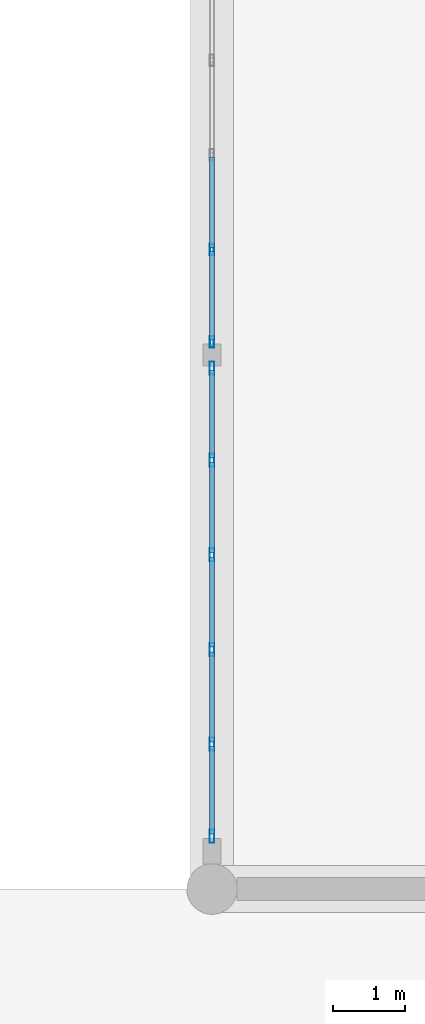
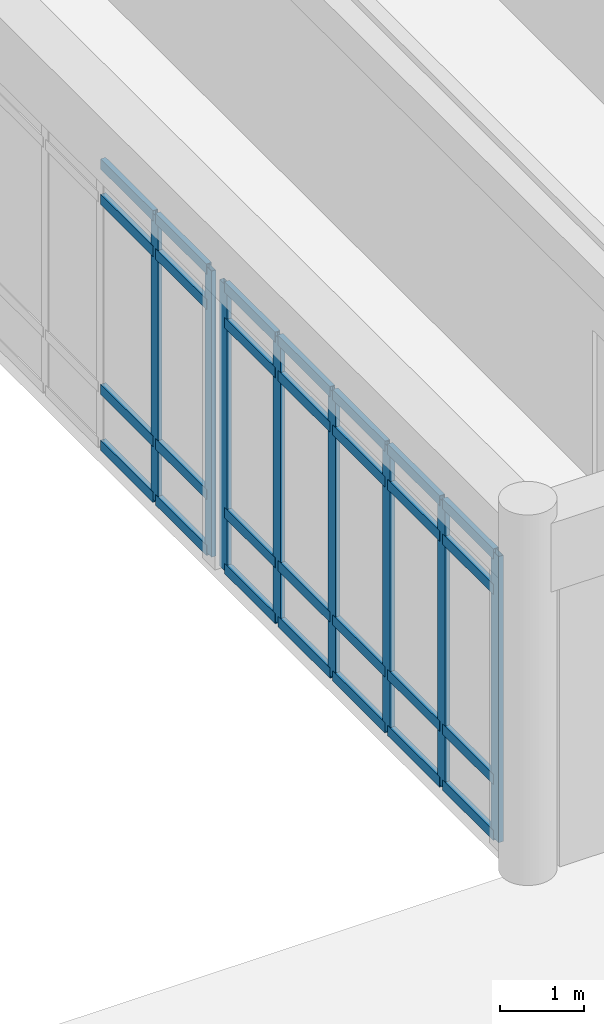
# One storey, part 31 of 138: 36 members, 2 elements without a shape of their own.
"""IFC4 building model written with IfcOpenShell, lengths in metres."""

from ifc_helpers import new_model, si_unit, direction, frame, origin, origin_2d, place, context, subcontext, project, spatial, hollow_rectangle, extrude, material, layer, layer_set, material_profile, profile_set, type_object, element, aggregate, save


model = new_model("IFC4")

# Units and contexts
model_context = context("Model", 3, precision=1e-05, world=origin(), true_north=direction((0.0, 1.0)))
body_context = subcontext(model_context, "Body", "Model", "MODEL_VIEW")
ifc_project = project(units=[si_unit("LENGTHUNIT", "METRE"), si_unit("AREAUNIT", "SQUARE_METRE"), si_unit("VOLUMEUNIT", "CUBIC_METRE"), si_unit("PLANEANGLEUNIT", "RADIAN"), si_unit("MASSUNIT", "GRAM", prefix="KILO")], contexts=[model_context])

# Site, building, storey
site_placement = place(None, origin())
site = spatial("IfcSite", under=ifc_project, at=site_placement, CompositionType="ELEMENT")
building_placement = place(site_placement, origin())
building = spatial("IfcBuilding", under=site, at=building_placement, Name="Fikremerkos Civic Library", CompositionType="ELEMENT")
storey_placement = place(building_placement, origin())
storey = spatial("IfcBuildingStorey", under=building, at=storey_placement, Name="L00", CompositionType="ELEMENT", Elevation=0.0)

# Curtain wall, members
ifc_material = material(Name="Anodized aluminium Frame", Category="aluminium")
ifc_layer_1 = layer(ifc_material, 0.159912109375, Name="Anodized aluminium Frame")
ifc_layer_set_1 = layer_set([ifc_layer_1], Name="Anodized aluminium Frame")
curtain_wall_type_1 = type_object("IfcCurtainWallType", Name="Unitised curtain wall CW-01 3600x3600", PredefinedType="USERDEFINED", material=ifc_layer_set_1)
curtain_wall_1_placement = place(storey_placement, origin())
curtain_wall_1 = element("IfcCurtainWall", 1, at=curtain_wall_1_placement, inside=storey, type_object=curtain_wall_type_1, Name="Unitised curtain wall CW-01 L00 #37", ObjectType="UNITISED CURTAIN WALL", PredefinedType="USERDEFINED")
ifc_material_profile_1 = material_profile(ifc_material, hollow_rectangle(XDim=0.06494140625, YDim=0.179931640625, WallThickness=0.00439453125, at=origin_2d()), Name="ALU 180x65x4.5")
ifc_profile_set_1 = profile_set([ifc_material_profile_1], Name="Anodized aluminium Frame")
member_type_1 = type_object("IfcMemberType", Name="Curtain mullion CWM-01 ALU 180x65x4.5", PredefinedType="MULLION", material=ifc_profile_set_1)
member_1_placement = place(storey_placement, frame((59.699951171875, 96.73046875, 0.0), z_axis=(0.0, 0.0, 1.0), x_axis=(-1.0, 0.0, 0.0)))
member_1 = element("IfcMember", 2, at=member_1_placement, type_object=member_type_1, Name="CW-01 mullion 1", PredefinedType="MULLION", context=body_context, shape_type="SweptSolid", body=[
    extrude(hollow_rectangle(XDim=0.06494140625, YDim=0.179931640625, WallThickness=0.00439453125, at=origin_2d()), origin(), (0.0, 0.0, 1.0), 4.169921875),
])
member_2_placement = place(storey_placement, frame((59.699951171875, 98.00830078125, 0.0), z_axis=(0.0, 0.0, 1.0), x_axis=(-1.0, 0.0, 0.0)))
member_2 = element("IfcMember", 3, at=member_2_placement, type_object=member_type_1, Name="CW-01 mullion 2", PredefinedType="MULLION", context=body_context, shape_type="SweptSolid", body=[
    extrude(hollow_rectangle(XDim=0.06494140625, YDim=0.179931640625, WallThickness=0.00439453125, at=origin_2d()), origin(), (0.0, 0.0, 1.0), 4.169921875),
])
member_3_placement = place(storey_placement, frame((59.699951171875, 99.318603515625, 0.0), z_axis=(0.0, 0.0, 1.0), x_axis=(-1.0, 0.0, 0.0)))
member_3 = element("IfcMember", 4, at=member_3_placement, type_object=member_type_1, Name="CW-01 mullion 3", PredefinedType="MULLION", context=body_context, shape_type="SweptSolid", body=[
    extrude(hollow_rectangle(XDim=0.06494140625, YDim=0.179931640625, WallThickness=0.00439453125, at=origin_2d()), origin(), (0.0, 0.0, 1.0), 4.169921875),
])
member_4_placement = place(storey_placement, frame((59.699951171875, 100.62890625, 0.0), z_axis=(0.0, 0.0, 1.0), x_axis=(-1.0, 0.0, 0.0)))
member_4 = element("IfcMember", 5, at=member_4_placement, type_object=member_type_1, Name="CW-01 mullion 4", PredefinedType="MULLION", context=body_context, shape_type="SweptSolid", body=[
    extrude(hollow_rectangle(XDim=0.06494140625, YDim=0.179931640625, WallThickness=0.00439453125, at=origin_2d()), origin(), (0.0, 0.0, 1.0), 4.169921875),
])
member_5_placement = place(storey_placement, frame((59.699951171875, 101.93896484375, 0.0), z_axis=(0.0, 0.0, 1.0), x_axis=(-1.0, 0.0, 0.0)))
member_5 = element("IfcMember", 6, at=member_5_placement, type_object=member_type_1, Name="CW-01 mullion 5", PredefinedType="MULLION", context=body_context, shape_type="SweptSolid", body=[
    extrude(hollow_rectangle(XDim=0.06494140625, YDim=0.179931640625, WallThickness=0.00439453125, at=origin_2d()), origin(), (0.0, 0.0, 1.0), 4.169921875),
])
member_6_placement = place(storey_placement, frame((59.699951171875, 103.216796875, 0.0), z_axis=(0.0, 0.0, 1.0), x_axis=(-1.0, 0.0, 0.0)))
member_6 = element("IfcMember", 7, at=member_6_placement, type_object=member_type_1, Name="CW-01 mullion 6", PredefinedType="MULLION", context=body_context, shape_type="SweptSolid", body=[
    extrude(hollow_rectangle(XDim=0.06494140625, YDim=0.179931640625, WallThickness=0.00439453125, at=origin_2d()), origin(), (0.0, 0.0, 1.0), 4.169921875),
])

ifc_layer_2 = layer(ifc_material, 0.159912109375, Name="Anodized aluminium Frame")
ifc_layer_set_2 = layer_set([ifc_layer_2], Name="Anodized aluminium Frame")
curtain_wall_type_2 = type_object("IfcCurtainWallType", Name="Unitised curtain wall CW-02 3900x3600", PredefinedType="USERDEFINED", material=ifc_layer_set_2)
curtain_wall_2_placement = place(storey_placement, origin())
curtain_wall_2 = element("IfcCurtainWall", 8, at=curtain_wall_2_placement, inside=storey, type_object=curtain_wall_type_2, Name="Unitised curtain wall CW-02 L00 #38", ObjectType="UNITISED CURTAIN WALL", PredefinedType="USERDEFINED")
ifc_material_profile_2 = material_profile(ifc_material, hollow_rectangle(XDim=0.06005859375, YDim=0.159912109375, WallThickness=0.00390625, at=origin_2d()), Name="ALU 160x60x4")
ifc_profile_set_2 = profile_set([ifc_material_profile_2], Name="Anodized aluminium Frame")
member_type_2 = type_object("IfcMemberType", Name="Curtain mullion CWM-02 ALU 160x60x4", PredefinedType="MULLION", material=ifc_profile_set_2)
member_7_placement = place(storey_placement, frame((59.699951171875, 103.579345703125, 0.0), z_axis=(0.0, 0.0, 1.0), x_axis=(-1.0, 0.0, 0.0)))
member_7 = element("IfcMember", 9, at=member_7_placement, type_object=member_type_2, Name="CW-02 mullion 1", PredefinedType="MULLION", context=body_context, shape_type="SweptSolid", body=[
    extrude(hollow_rectangle(XDim=0.06005859375, YDim=0.159912109375, WallThickness=0.00390625, at=origin_2d()), origin(), (0.0, 0.0, 1.0), 4.169921875),
])
member_8_placement = place(storey_placement, frame((59.699951171875, 104.859619140625, 0.0), z_axis=(0.0, 0.0, 1.0), x_axis=(-1.0, 0.0, 0.0)))
member_8 = element("IfcMember", 10, at=member_8_placement, type_object=member_type_2, Name="CW-02 mullion 2", PredefinedType="MULLION", context=body_context, shape_type="SweptSolid", body=[
    extrude(hollow_rectangle(XDim=0.06005859375, YDim=0.159912109375, WallThickness=0.00390625, at=origin_2d()), origin(), (0.0, 0.0, 1.0), 4.169921875),
])

# Member
ifc_material_profile_3 = material_profile(ifc_material, hollow_rectangle(XDim=0.070068359375, YDim=0.14990234375, WallThickness=0.00439453125, at=origin_2d()), Name="ALU 150x70x4.5")
ifc_profile_set_3 = profile_set([ifc_material_profile_3], Name="Anodized aluminium Frame")
member_type_3 = type_object("IfcMemberType", Name="Curtain transom CWT-01 ALU 150x70x4.5", PredefinedType="USERDEFINED", material=ifc_profile_set_3)
member_9_placement = place(storey_placement, frame((59.699951171875, 96.762939453125, 0.034912109375), z_axis=(0.0, 1.0, 0.0), x_axis=(-1.0, 0.0, 0.0)))
member_9 = element("IfcMember", 11, at=member_9_placement, type_object=member_type_3, Name="CW-01 transom 1.1", ObjectType="TRANSOM", PredefinedType="USERDEFINED", context=body_context, shape_type="SweptSolid", body=[
    extrude(hollow_rectangle(XDim=0.070068359375, YDim=0.14990234375, WallThickness=0.00439453125, at=origin_2d()), origin(), (0.0, 0.0, 1.0), 1.212890625),
])

member_10_placement = place(storey_placement, frame((59.699951171875, 96.762939453125, 0.85009765625), z_axis=(0.0, 1.0, 0.0), x_axis=(-1.0, 0.0, 0.0)))
member_10 = element("IfcMember", 12, at=member_10_placement, type_object=member_type_3, Name="CW-01 transom 1.2", ObjectType="TRANSOM", PredefinedType="USERDEFINED", context=body_context, shape_type="SweptSolid", body=[
    extrude(hollow_rectangle(XDim=0.070068359375, YDim=0.14990234375, WallThickness=0.00439453125, at=origin_2d()), origin(), (0.0, 0.0, 1.0), 1.212890625),
])

member_11_placement = place(storey_placement, frame((59.699951171875, 96.762939453125, 3.6201171875), z_axis=(0.0, 1.0, 0.0), x_axis=(-1.0, 0.0, 0.0)))
member_11 = element("IfcMember", 13, at=member_11_placement, type_object=member_type_3, Name="CW-01 transom 1.3", ObjectType="TRANSOM", PredefinedType="USERDEFINED", context=body_context, shape_type="SweptSolid", body=[
    extrude(hollow_rectangle(XDim=0.070068359375, YDim=0.14990234375, WallThickness=0.00439453125, at=origin_2d()), origin(), (0.0, 0.0, 1.0), 1.212890625),
])

member_12_placement = place(storey_placement, frame((59.699951171875, 96.762939453125, 4.135009765625), z_axis=(0.0, 1.0, 0.0), x_axis=(-1.0, 0.0, 0.0)))
member_12 = element("IfcMember", 14, at=member_12_placement, type_object=member_type_3, Name="CW-01 transom 1.4", ObjectType="TRANSOM", PredefinedType="USERDEFINED", context=body_context, shape_type="SweptSolid", body=[
    extrude(hollow_rectangle(XDim=0.070068359375, YDim=0.14990234375, WallThickness=0.00439453125, at=origin_2d()), origin(), (0.0, 0.0, 1.0), 1.212890625),
])

member_13_placement = place(storey_placement, frame((59.699951171875, 98.040771484375, 0.034912109375), z_axis=(0.0, 1.0, 0.0), x_axis=(-1.0, 0.0, 0.0)))
member_13 = element("IfcMember", 15, at=member_13_placement, type_object=member_type_3, Name="CW-01 transom 2.1", ObjectType="TRANSOM", PredefinedType="USERDEFINED", context=body_context, shape_type="SweptSolid", body=[
    extrude(hollow_rectangle(XDim=0.070068359375, YDim=0.14990234375, WallThickness=0.00439453125, at=origin_2d()), origin(), (0.0, 0.0, 1.0), 1.245361328125),
])

member_14_placement = place(storey_placement, frame((59.699951171875, 98.040771484375, 0.85009765625), z_axis=(0.0, 1.0, 0.0), x_axis=(-1.0, 0.0, 0.0)))
member_14 = element("IfcMember", 16, at=member_14_placement, type_object=member_type_3, Name="CW-01 transom 2.2", ObjectType="TRANSOM", PredefinedType="USERDEFINED", context=body_context, shape_type="SweptSolid", body=[
    extrude(hollow_rectangle(XDim=0.070068359375, YDim=0.14990234375, WallThickness=0.00439453125, at=origin_2d()), origin(), (0.0, 0.0, 1.0), 1.245361328125),
])

member_15_placement = place(storey_placement, frame((59.699951171875, 98.040771484375, 3.6201171875), z_axis=(0.0, 1.0, 0.0), x_axis=(-1.0, 0.0, 0.0)))
member_15 = element("IfcMember", 17, at=member_15_placement, type_object=member_type_3, Name="CW-01 transom 2.3", ObjectType="TRANSOM", PredefinedType="USERDEFINED", context=body_context, shape_type="SweptSolid", body=[
    extrude(hollow_rectangle(XDim=0.070068359375, YDim=0.14990234375, WallThickness=0.00439453125, at=origin_2d()), origin(), (0.0, 0.0, 1.0), 1.245361328125),
])

member_16_placement = place(storey_placement, frame((59.699951171875, 98.040771484375, 4.135009765625), z_axis=(0.0, 1.0, 0.0), x_axis=(-1.0, 0.0, 0.0)))
member_16 = element("IfcMember", 18, at=member_16_placement, type_object=member_type_3, Name="CW-01 transom 2.4", ObjectType="TRANSOM", PredefinedType="USERDEFINED", context=body_context, shape_type="SweptSolid", body=[
    extrude(hollow_rectangle(XDim=0.070068359375, YDim=0.14990234375, WallThickness=0.00439453125, at=origin_2d()), origin(), (0.0, 0.0, 1.0), 1.245361328125),
])

member_17_placement = place(storey_placement, frame((59.699951171875, 99.35107421875, 0.034912109375), z_axis=(0.0, 1.0, 0.0), x_axis=(-1.0, 0.0, 0.0)))
member_17 = element("IfcMember", 19, at=member_17_placement, type_object=member_type_3, Name="CW-01 transom 3.1", ObjectType="TRANSOM", PredefinedType="USERDEFINED", context=body_context, shape_type="SweptSolid", body=[
    extrude(hollow_rectangle(XDim=0.070068359375, YDim=0.14990234375, WallThickness=0.00439453125, at=origin_2d()), origin(), (0.0, 0.0, 1.0), 1.2451171875),
])

member_18_placement = place(storey_placement, frame((59.699951171875, 99.35107421875, 0.85009765625), z_axis=(0.0, 1.0, 0.0), x_axis=(-1.0, 0.0, 0.0)))
member_18 = element("IfcMember", 20, at=member_18_placement, type_object=member_type_3, Name="CW-01 transom 3.2", ObjectType="TRANSOM", PredefinedType="USERDEFINED", context=body_context, shape_type="SweptSolid", body=[
    extrude(hollow_rectangle(XDim=0.070068359375, YDim=0.14990234375, WallThickness=0.00439453125, at=origin_2d()), origin(), (0.0, 0.0, 1.0), 1.2451171875),
])

member_19_placement = place(storey_placement, frame((59.699951171875, 99.35107421875, 3.6201171875), z_axis=(0.0, 1.0, 0.0), x_axis=(-1.0, 0.0, 0.0)))
member_19 = element("IfcMember", 21, at=member_19_placement, type_object=member_type_3, Name="CW-01 transom 3.3", ObjectType="TRANSOM", PredefinedType="USERDEFINED", context=body_context, shape_type="SweptSolid", body=[
    extrude(hollow_rectangle(XDim=0.070068359375, YDim=0.14990234375, WallThickness=0.00439453125, at=origin_2d()), origin(), (0.0, 0.0, 1.0), 1.2451171875),
])

member_20_placement = place(storey_placement, frame((59.699951171875, 99.35107421875, 4.135009765625), z_axis=(0.0, 1.0, 0.0), x_axis=(-1.0, 0.0, 0.0)))
member_20 = element("IfcMember", 22, at=member_20_placement, type_object=member_type_3, Name="CW-01 transom 3.4", ObjectType="TRANSOM", PredefinedType="USERDEFINED", context=body_context, shape_type="SweptSolid", body=[
    extrude(hollow_rectangle(XDim=0.070068359375, YDim=0.14990234375, WallThickness=0.00439453125, at=origin_2d()), origin(), (0.0, 0.0, 1.0), 1.2451171875),
])

member_21_placement = place(storey_placement, frame((59.699951171875, 100.661376953125, 0.034912109375), z_axis=(0.0, 1.0, 0.0), x_axis=(-1.0, 0.0, 0.0)))
member_21 = element("IfcMember", 23, at=member_21_placement, type_object=member_type_3, Name="CW-01 transom 4.1", ObjectType="TRANSOM", PredefinedType="USERDEFINED", context=body_context, shape_type="SweptSolid", body=[
    extrude(hollow_rectangle(XDim=0.070068359375, YDim=0.14990234375, WallThickness=0.00439453125, at=origin_2d()), origin(), (0.0, 0.0, 1.0), 1.2451171875),
])

member_22_placement = place(storey_placement, frame((59.699951171875, 100.661376953125, 0.85009765625), z_axis=(0.0, 1.0, 0.0), x_axis=(-1.0, 0.0, 0.0)))
member_22 = element("IfcMember", 24, at=member_22_placement, type_object=member_type_3, Name="CW-01 transom 4.2", ObjectType="TRANSOM", PredefinedType="USERDEFINED", context=body_context, shape_type="SweptSolid", body=[
    extrude(hollow_rectangle(XDim=0.070068359375, YDim=0.14990234375, WallThickness=0.00439453125, at=origin_2d()), origin(), (0.0, 0.0, 1.0), 1.2451171875),
])

member_23_placement = place(storey_placement, frame((59.699951171875, 100.661376953125, 3.6201171875), z_axis=(0.0, 1.0, 0.0), x_axis=(-1.0, 0.0, 0.0)))
member_23 = element("IfcMember", 25, at=member_23_placement, type_object=member_type_3, Name="CW-01 transom 4.3", ObjectType="TRANSOM", PredefinedType="USERDEFINED", context=body_context, shape_type="SweptSolid", body=[
    extrude(hollow_rectangle(XDim=0.070068359375, YDim=0.14990234375, WallThickness=0.00439453125, at=origin_2d()), origin(), (0.0, 0.0, 1.0), 1.2451171875),
])

member_24_placement = place(storey_placement, frame((59.699951171875, 100.661376953125, 4.135009765625), z_axis=(0.0, 1.0, 0.0), x_axis=(-1.0, 0.0, 0.0)))
member_24 = element("IfcMember", 26, at=member_24_placement, type_object=member_type_3, Name="CW-01 transom 4.4", ObjectType="TRANSOM", PredefinedType="USERDEFINED", context=body_context, shape_type="SweptSolid", body=[
    extrude(hollow_rectangle(XDim=0.070068359375, YDim=0.14990234375, WallThickness=0.00439453125, at=origin_2d()), origin(), (0.0, 0.0, 1.0), 1.2451171875),
])

member_25_placement = place(storey_placement, frame((59.699951171875, 101.9716796875, 0.034912109375), z_axis=(0.0, 1.0, 0.0), x_axis=(-1.0, 0.0, 0.0)))
member_25 = element("IfcMember", 27, at=member_25_placement, type_object=member_type_3, Name="CW-01 transom 5.1", ObjectType="TRANSOM", PredefinedType="USERDEFINED", context=body_context, shape_type="SweptSolid", body=[
    extrude(hollow_rectangle(XDim=0.070068359375, YDim=0.14990234375, WallThickness=0.00439453125, at=origin_2d()), origin(), (0.0, 0.0, 1.0), 1.212646484375),
])

member_26_placement = place(storey_placement, frame((59.699951171875, 101.9716796875, 0.85009765625), z_axis=(0.0, 1.0, 0.0), x_axis=(-1.0, 0.0, 0.0)))
member_26 = element("IfcMember", 28, at=member_26_placement, type_object=member_type_3, Name="CW-01 transom 5.2", ObjectType="TRANSOM", PredefinedType="USERDEFINED", context=body_context, shape_type="SweptSolid", body=[
    extrude(hollow_rectangle(XDim=0.070068359375, YDim=0.14990234375, WallThickness=0.00439453125, at=origin_2d()), origin(), (0.0, 0.0, 1.0), 1.212646484375),
])

member_27_placement = place(storey_placement, frame((59.699951171875, 101.9716796875, 3.6201171875), z_axis=(0.0, 1.0, 0.0), x_axis=(-1.0, 0.0, 0.0)))
member_27 = element("IfcMember", 29, at=member_27_placement, type_object=member_type_3, Name="CW-01 transom 5.3", ObjectType="TRANSOM", PredefinedType="USERDEFINED", context=body_context, shape_type="SweptSolid", body=[
    extrude(hollow_rectangle(XDim=0.070068359375, YDim=0.14990234375, WallThickness=0.00439453125, at=origin_2d()), origin(), (0.0, 0.0, 1.0), 1.212646484375),
])

member_28_placement = place(storey_placement, frame((59.699951171875, 101.9716796875, 4.135009765625), z_axis=(0.0, 1.0, 0.0), x_axis=(-1.0, 0.0, 0.0)))
member_28 = element("IfcMember", 30, at=member_28_placement, type_object=member_type_3, Name="CW-01 transom 5.4", ObjectType="TRANSOM", PredefinedType="USERDEFINED", context=body_context, shape_type="SweptSolid", body=[
    extrude(hollow_rectangle(XDim=0.070068359375, YDim=0.14990234375, WallThickness=0.00439453125, at=origin_2d()), origin(), (0.0, 0.0, 1.0), 1.212646484375),
])

aggregate(curtain_wall_1, [member_1, member_2, member_3, member_4, member_5, member_6, member_9, member_10, member_11, member_12, member_13, member_14, member_15, member_16, member_17, member_18, member_19, member_20, member_21, member_22, member_23, member_24, member_25, member_26, member_27, member_28])

member_29_placement = place(storey_placement, frame((59.699951171875, 103.609375, 0.034912109375), z_axis=(0.0, 1.0, 0.0), x_axis=(-1.0, 0.0, 0.0)))
member_29 = element("IfcMember", 31, at=member_29_placement, type_object=member_type_3, Name="CW-02 transom 1.1", ObjectType="TRANSOM", PredefinedType="USERDEFINED", context=body_context, shape_type="SweptSolid", body=[
    extrude(hollow_rectangle(XDim=0.070068359375, YDim=0.14990234375, WallThickness=0.00439453125, at=origin_2d()), origin(), (0.0, 0.0, 1.0), 1.22021484375),
])

member_30_placement = place(storey_placement, frame((59.699951171875, 103.609375, 0.85009765625), z_axis=(0.0, 1.0, 0.0), x_axis=(-1.0, 0.0, 0.0)))
member_30 = element("IfcMember", 32, at=member_30_placement, type_object=member_type_3, Name="CW-02 transom 1.2", ObjectType="TRANSOM", PredefinedType="USERDEFINED", context=body_context, shape_type="SweptSolid", body=[
    extrude(hollow_rectangle(XDim=0.070068359375, YDim=0.14990234375, WallThickness=0.00439453125, at=origin_2d()), origin(), (0.0, 0.0, 1.0), 1.22021484375),
])

member_31_placement = place(storey_placement, frame((59.699951171875, 103.609375, 3.6201171875), z_axis=(0.0, 1.0, 0.0), x_axis=(-1.0, 0.0, 0.0)))
member_31 = element("IfcMember", 33, at=member_31_placement, type_object=member_type_3, Name="CW-02 transom 1.3", ObjectType="TRANSOM", PredefinedType="USERDEFINED", context=body_context, shape_type="SweptSolid", body=[
    extrude(hollow_rectangle(XDim=0.070068359375, YDim=0.14990234375, WallThickness=0.00439453125, at=origin_2d()), origin(), (0.0, 0.0, 1.0), 1.22021484375),
])

member_32_placement = place(storey_placement, frame((59.699951171875, 103.609375, 4.135009765625), z_axis=(0.0, 1.0, 0.0), x_axis=(-1.0, 0.0, 0.0)))
member_32 = element("IfcMember", 34, at=member_32_placement, type_object=member_type_3, Name="CW-02 transom 1.4", ObjectType="TRANSOM", PredefinedType="USERDEFINED", context=body_context, shape_type="SweptSolid", body=[
    extrude(hollow_rectangle(XDim=0.070068359375, YDim=0.14990234375, WallThickness=0.00439453125, at=origin_2d()), origin(), (0.0, 0.0, 1.0), 1.22021484375),
])

member_33_placement = place(storey_placement, frame((59.699951171875, 104.8896484375, 0.034912109375), z_axis=(0.0, 1.0, 0.0), x_axis=(-1.0, 0.0, 0.0)))
member_33 = element("IfcMember", 35, at=member_33_placement, type_object=member_type_3, Name="CW-02 transom 2.1", ObjectType="TRANSOM", PredefinedType="USERDEFINED", context=body_context, shape_type="SweptSolid", body=[
    extrude(hollow_rectangle(XDim=0.070068359375, YDim=0.14990234375, WallThickness=0.00439453125, at=origin_2d()), origin(), (0.0, 0.0, 1.0), 1.250244140625),
])

member_34_placement = place(storey_placement, frame((59.699951171875, 104.8896484375, 0.85009765625), z_axis=(0.0, 1.0, 0.0), x_axis=(-1.0, 0.0, 0.0)))
member_34 = element("IfcMember", 36, at=member_34_placement, type_object=member_type_3, Name="CW-02 transom 2.2", ObjectType="TRANSOM", PredefinedType="USERDEFINED", context=body_context, shape_type="SweptSolid", body=[
    extrude(hollow_rectangle(XDim=0.070068359375, YDim=0.14990234375, WallThickness=0.00439453125, at=origin_2d()), origin(), (0.0, 0.0, 1.0), 1.250244140625),
])

member_35_placement = place(storey_placement, frame((59.699951171875, 104.8896484375, 3.6201171875), z_axis=(0.0, 1.0, 0.0), x_axis=(-1.0, 0.0, 0.0)))
member_35 = element("IfcMember", 37, at=member_35_placement, type_object=member_type_3, Name="CW-02 transom 2.3", ObjectType="TRANSOM", PredefinedType="USERDEFINED", context=body_context, shape_type="SweptSolid", body=[
    extrude(hollow_rectangle(XDim=0.070068359375, YDim=0.14990234375, WallThickness=0.00439453125, at=origin_2d()), origin(), (0.0, 0.0, 1.0), 1.250244140625),
])

member_36_placement = place(storey_placement, frame((59.699951171875, 104.8896484375, 4.135009765625), z_axis=(0.0, 1.0, 0.0), x_axis=(-1.0, 0.0, 0.0)))
member_36 = element("IfcMember", 38, at=member_36_placement, type_object=member_type_3, Name="CW-02 transom 2.4", ObjectType="TRANSOM", PredefinedType="USERDEFINED", context=body_context, shape_type="SweptSolid", body=[
    extrude(hollow_rectangle(XDim=0.070068359375, YDim=0.14990234375, WallThickness=0.00439453125, at=origin_2d()), origin(), (0.0, 0.0, 1.0), 1.250244140625),
])

aggregate(curtain_wall_2, [member_7, member_8, member_29, member_30, member_31, member_32, member_33, member_34, member_35, member_36])

save(model, "model.ifc")
